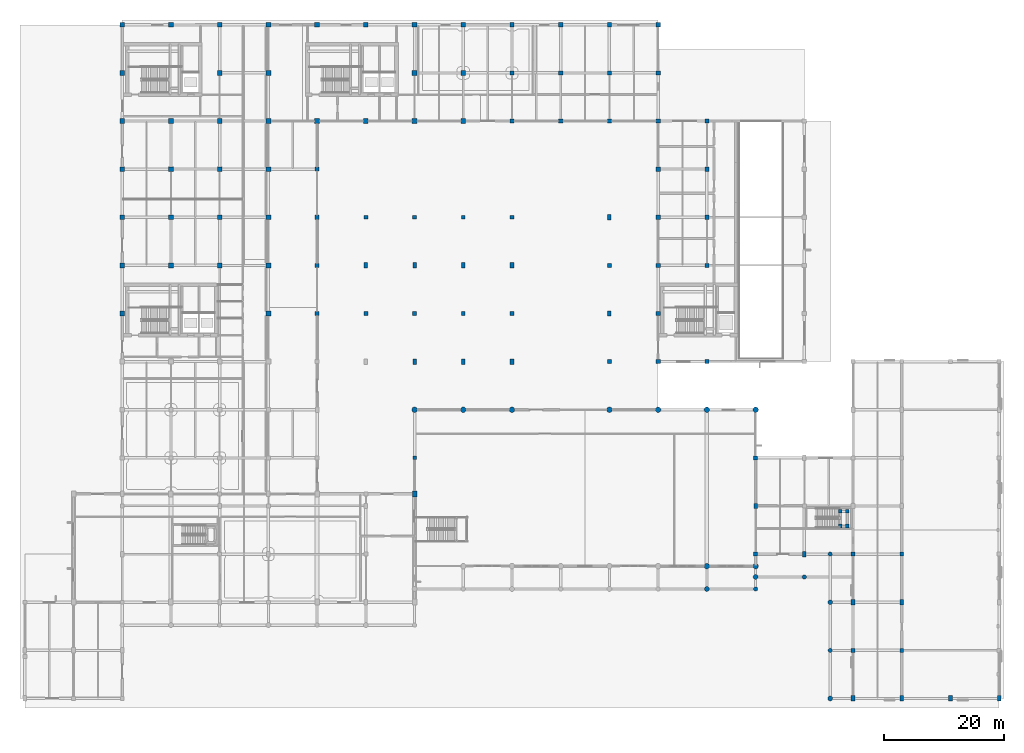
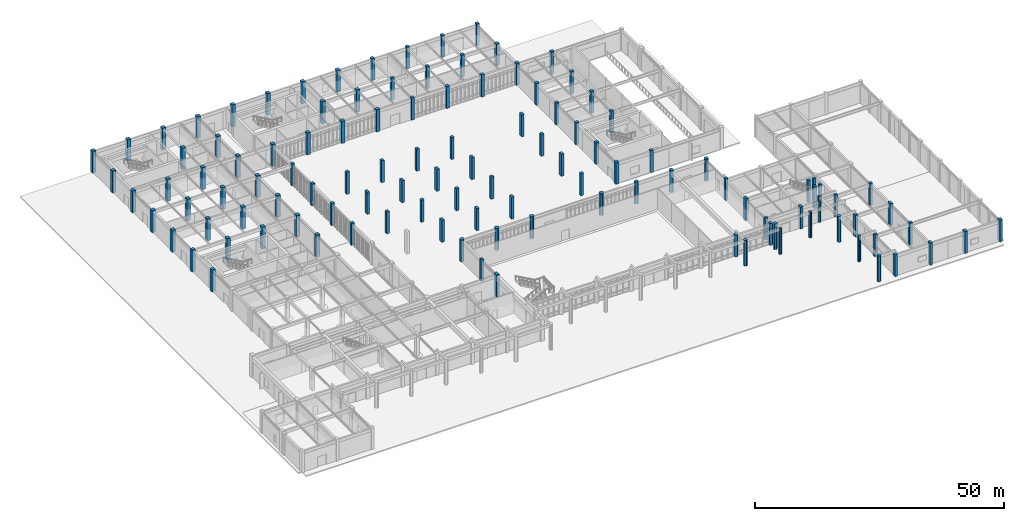
# One storey, part 3 of 62: 117 columns.
"""IFC4 building model written with IfcOpenShell, lengths in metres."""

from ifc_helpers import new_model, si_unit, direction, frame, origin, origin_2d, place, context, subcontext, project, spatial, rectangle, circle, extrude, material, material_profile, profile_set, type_object, element, save


model = new_model("IFC4")

# Units and contexts
model_context = context("Model", 3, precision=1e-05, world=origin(), true_north=direction((0.0, 1.0)))
body_context = subcontext(model_context, "Body", "Model", "MODEL_VIEW")
ifc_project = project(units=[si_unit("LENGTHUNIT", "METRE"), si_unit("AREAUNIT", "SQUARE_METRE"), si_unit("VOLUMEUNIT", "CUBIC_METRE"), si_unit("PLANEANGLEUNIT", "RADIAN"), si_unit("MASSUNIT", "GRAM", prefix="KILO")], contexts=[model_context])

# Site, building, storey
site_placement = place(None, origin())
site = spatial("IfcSite", under=ifc_project, at=site_placement, CompositionType="ELEMENT")
building_placement = place(site_placement, origin())
building = spatial("IfcBuilding", under=site, at=building_placement, Name="Tarnveldt Square Police Headquarters", CompositionType="ELEMENT")
storey_placement = place(building_placement, origin())
storey = spatial("IfcBuildingStorey", under=building, at=storey_placement, Name="L00", CompositionType="ELEMENT", Elevation=0.0)

# Columns
ifc_material_1 = material(Name="Concrete 40 MPa", Category="concrete")
ifc_material_profile_1 = material_profile(ifc_material_1, circle(Radius=0.35009765625, at=origin_2d()), Name="RC-D700")
ifc_profile_set_1 = profile_set([ifc_material_profile_1], Name="Concrete 40 MPa")
column_type_1 = type_object("IfcColumnType", Name="COL-D700", PredefinedType="COLUMN", material=ifc_profile_set_1)
for number, where, z_axis, x_axis, name in (
    (1, (121.5, 18.199951171875, 0.0), (0.0, 0.0, 1.0), (1.0, 0.0, 0.0), "Tarnveldt Square Round Colonnade Column 15"),
    (2, (129.60009765625, 20.199951171875, 0.0), (0.0, 0.0, 1.0), (1.0, 0.0, 0.0), "Tarnveldt Square Round Colonnade Column 17"),
    (3, (133.89990234375, 8.0, 0.0), (0.0, 0.0, 1.0), (1.0, 0.0, 0.0), "Tarnveldt Square Round Colonnade Column 19"),
    (4, (133.89990234375, 24.0, 0.0), (0.0, 0.0, 1.0), (1.0, 0.0, 0.0), "Tarnveldt Square Round Colonnade Column 21"),
):
    element("IfcColumn", number, at=place(storey_placement, frame(where, z_axis=z_axis, x_axis=x_axis)), inside=storey, type_object=column_type_1, Name=name, PredefinedType="COLUMN", context=body_context, shape_type="SweptSolid", body=[
        extrude(circle(Radius=0.35009765625, at=origin_2d()), origin(), (0.0, 0.0, 1.0), 6.300048828125),
    ])
ifc_material_profile_2 = material_profile(ifc_material_1, circle(Radius=0.39990234375, at=origin_2d()), Name="RC-D800")
ifc_profile_set_2 = profile_set([ifc_material_profile_2], Name="Concrete 40 MPa")
column_type_2 = type_object("IfcColumnType", Name="COL-D800", PredefinedType="COLUMN", material=ifc_profile_set_2)
for number, where, z_axis, x_axis, name in (
    (5, (113.39990234375, 18.199951171875, 0.0), (0.0, 0.0, 1.0), (1.0, 0.0, 0.0), "Tarnveldt Square Round Colonnade Column 14"),
    (6, (121.5, 20.199951171875, 0.0), (0.0, 0.0, 1.0), (1.0, 0.0, 0.0), "Tarnveldt Square Round Colonnade Column 16"),
    (7, (133.89990234375, 0.0, 0.0), (0.0, 0.0, 1.0), (1.0, 0.0, 0.0), "Tarnveldt Square Round Colonnade Column 18"),
    (8, (133.89990234375, 16.0, 0.0), (0.0, 0.0, 1.0), (1.0, 0.0, 0.0), "Tarnveldt Square Round Colonnade Column 20"),
):
    element("IfcColumn", number, at=place(storey_placement, frame(where, z_axis=z_axis, x_axis=x_axis)), inside=storey, type_object=column_type_2, Name=name, PredefinedType="COLUMN", context=body_context, shape_type="SweptSolid", body=[
        extrude(circle(Radius=0.39990234375, at=origin_2d()), origin(), (0.0, 0.0, 1.0), 6.300048828125),
    ])
ifc_material_2 = material(Name="Concrete 50 MPa", Category="concrete")
ifc_material_profile_3 = material_profile(ifc_material_2, circle(Radius=0.449951171875, at=origin_2d()), Name="RC-D900")
ifc_profile_set_3 = profile_set([ifc_material_profile_3], Name="Concrete 50 MPa")
column_type_3 = type_object("IfcColumnType", Name="COL-D900", PredefinedType="COLUMN", material=ifc_profile_set_3)
for number, where, z_axis, x_axis, name in (
    (9, (64.800048828125, 48.0, 0.0), (0.0, 0.0, 1.0), (1.0, 0.0, 0.0), "L00 Column 098"),
    (10, (72.89990234375, 48.0, 0.0), (0.0, 0.0, 1.0), (1.0, 0.0, 0.0), "L00 Column 108"),
    (11, (81.0, 48.0, 0.0), (0.0, 0.0, 1.0), (1.0, 0.0, 0.0), "L00 Column 118"),
    (12, (97.199951171875, 48.0, 0.0), (0.0, 0.0, 1.0), (1.0, 0.0, 0.0), "L00 Column 133"),
    (13, (105.300048828125, 48.0, 0.0), (0.0, 0.0, 1.0), (1.0, 0.0, 0.0), "L00 Column 144"),
    (14, (113.39990234375, 22.0, 0.0), (0.0, 0.0, 1.0), (1.0, 0.0, 0.0), "L00 Column 154"),
    (15, (113.39990234375, 48.0, 0.0), (0.0, 0.0, 1.0), (1.0, 0.0, 0.0), "L00 Column 155"),
    (16, (121.5, 22.0, 0.0), (0.0, 0.0, 1.0), (1.0, 0.0, 0.0), "L00 Column 161"),
    (17, (121.5, 48.0, 0.0), (0.0, 0.0, 1.0), (1.0, 0.0, 0.0), "L00 Column 165"),
):
    element("IfcColumn", number, at=place(storey_placement, frame(where, z_axis=z_axis, x_axis=x_axis)), inside=storey, type_object=column_type_3, Name=name, PredefinedType="COLUMN", context=body_context, shape_type="SweptSolid", body=[
        extrude(circle(Radius=0.449951171875, at=origin_2d()), origin(), (0.0, 0.0, 1.0), 5.39990234375),
    ])
ifc_material_profile_4 = material_profile(ifc_material_1, rectangle(XDim=0.60009765625, YDim=0.60009765625, at=origin_2d()), Name="RC-C600x600")
ifc_profile_set_4 = profile_set([ifc_material_profile_4], Name="Concrete 40 MPa")
column_type_4 = type_object("IfcColumnType", Name="COL-RC600", PredefinedType="COLUMN", material=ifc_profile_set_4)
for number, where, z_axis, x_axis, name in (
    (18, (64.800048828125, 40.0, 0.0), (0.0, 0.0, 1.0), (1.0, 0.0, 0.0), "L00 Column 097"),
    (19, (135.550048828125, 28.679931640625, 0.0), (0.0, 0.0, 1.0), (1.0, 0.0, 0.0), "L00 Column 181"),
    (20, (135.550048828125, 31.10009765625, 0.0), (0.0, 0.0, 1.0), (1.0, 0.0, 0.0), "L00 Column 182"),
    (21, (136.75, 28.679931640625, 0.0), (0.0, 0.0, 1.0), (1.0, 0.0, 0.0), "L00 Column 183"),
    (22, (136.75, 31.10009765625, 0.0), (0.0, 0.0, 1.0), (1.0, 0.0, 0.0), "L00 Column 184"),
):
    element("IfcColumn", number, at=place(storey_placement, frame(where, z_axis=z_axis, x_axis=x_axis)), inside=storey, type_object=column_type_4, Name=name, PredefinedType="COLUMN", context=body_context, shape_type="SweptSolid", body=[
        extrude(rectangle(XDim=0.60009765625, YDim=0.60009765625, at=origin_2d()), origin(), (0.0, 0.0, 1.0), 5.39990234375),
    ])
ifc_material_profile_5 = material_profile(ifc_material_2, rectangle(XDim=0.60009765625, YDim=0.89990234375, at=origin_2d()), Name="RC-C600x900")
ifc_profile_set_5 = profile_set([ifc_material_profile_5], Name="Concrete 50 MPa")
column_type_5 = type_object("IfcColumnType", Name="COL-RC600x900", PredefinedType="COLUMN", material=ifc_profile_set_5)
for number, where, z_axis, x_axis, name in (
    (23, (56.699951171875, 72.0, 0.0), (0.0, 0.0, 1.0), (1.0, 0.0, 0.0), "L00 Column 089"),
    (24, (64.800048828125, 56.0, 0.0), (0.0, 0.0, 1.0), (1.0, 0.0, 0.0), "L00 Column 099"),
    (25, (64.800048828125, 72.0, 0.0), (0.0, 0.0, 1.0), (1.0, 0.0, 0.0), "L00 Column 101"),
    (26, (72.89990234375, 56.0, 0.0), (0.0, 0.0, 1.0), (1.0, 0.0, 0.0), "L00 Column 109"),
    (27, (72.89990234375, 72.0, 0.0), (0.0, 0.0, 1.0), (1.0, 0.0, 0.0), "L00 Column 111"),
    (28, (81.0, 56.0, 0.0), (0.0, 0.0, 1.0), (1.0, 0.0, 0.0), "L00 Column 119"),
    (29, (81.0, 72.0, 0.0), (0.0, 0.0, 1.0), (1.0, 0.0, 0.0), "L00 Column 121"),
    (30, (97.199951171875, 64.0, 0.0), (0.0, 0.0, 1.0), (1.0, 0.0, 0.0), "L00 Column 135"),
    (31, (97.199951171875, 80.0, 0.0), (0.0, 0.0, 1.0), (1.0, 0.0, 0.0), "L00 Column 137"),
    (32, (121.5, 32.0, 0.0), (0.0, 0.0, 1.0), (1.0, 0.0, 0.0), "L00 Column 163"),
    (33, (129.60009765625, 24.0, 0.0), (0.0, 0.0, 1.0), (1.0, 0.0, 0.0), "L00 Column 169"),
    (34, (137.699951171875, 0.0, 0.0), (0.0, 0.0, 1.0), (1.0, 0.0, 0.0), "L00 Column 185"),
    (35, (137.699951171875, 16.0, 0.0), (0.0, 0.0, 1.0), (1.0, 0.0, 0.0), "L00 Column 187"),
    (36, (145.800048828125, 0.0, 0.0), (0.0, 0.0, 1.0), (1.0, 0.0, 0.0), "L00 Column 193"),
    (37, (145.800048828125, 16.0, 0.0), (0.0, 0.0, 1.0), (1.0, 0.0, 0.0), "L00 Column 195"),
    (38, (153.89990234375, 0.0, 0.0), (0.0, 0.0, 1.0), (1.0, 0.0, 0.0), "L00 Column 201"),
    (39, (162.0, 0.0, 0.0), (0.0, 0.0, 1.0), (1.0, 0.0, 0.0), "L00 Column 203"),
):
    element("IfcColumn", number, at=place(storey_placement, frame(where, z_axis=z_axis, x_axis=x_axis)), inside=storey, type_object=column_type_5, Name=name, PredefinedType="COLUMN", context=body_context, shape_type="SweptSolid", body=[
        extrude(rectangle(XDim=0.60009765625, YDim=0.89990234375, at=origin_2d()), origin(), (0.0, 0.0, 1.0), 5.39990234375),
    ])
ifc_material_profile_6 = material_profile(ifc_material_2, rectangle(XDim=0.64990234375, YDim=0.64990234375, at=origin_2d()), Name="RC-C650x650")
ifc_profile_set_6 = profile_set([ifc_material_profile_6], Name="Concrete 50 MPa")
column_type_6 = type_object("IfcColumnType", Name="COL-RC650", PredefinedType="COLUMN", material=ifc_profile_set_6)
for number, where, z_axis, x_axis, name in (
    (40, (48.60009765625, 88.0, 0.0), (0.0, 0.0, 1.0), (1.0, 0.0, 0.0), "L00 Column 078"),
    (41, (56.699951171875, 64.0, 0.0), (0.0, 0.0, 1.0), (1.0, 0.0, 0.0), "L00 Column 088"),
    (42, (56.699951171875, 80.0, 0.0), (0.0, 0.0, 1.0), (1.0, 0.0, 0.0), "L00 Column 090"),
    (43, (64.800048828125, 64.0, 0.0), (0.0, 0.0, 1.0), (1.0, 0.0, 0.0), "L00 Column 100"),
    (44, (64.800048828125, 80.0, 0.0), (0.0, 0.0, 1.0), (1.0, 0.0, 0.0), "L00 Column 102"),
    (45, (72.89990234375, 64.0, 0.0), (0.0, 0.0, 1.0), (1.0, 0.0, 0.0), "L00 Column 110"),
    (46, (72.89990234375, 80.0, 0.0), (0.0, 0.0, 1.0), (1.0, 0.0, 0.0), "L00 Column 112"),
    (47, (81.0, 64.0, 0.0), (0.0, 0.0, 1.0), (1.0, 0.0, 0.0), "L00 Column 120"),
    (48, (81.0, 80.0, 0.0), (0.0, 0.0, 1.0), (1.0, 0.0, 0.0), "L00 Column 122"),
    (49, (97.199951171875, 56.0, 0.0), (0.0, 0.0, 1.0), (1.0, 0.0, 0.0), "L00 Column 134"),
    (50, (97.199951171875, 72.0, 0.0), (0.0, 0.0, 1.0), (1.0, 0.0, 0.0), "L00 Column 136"),
    (51, (121.5, 24.0, 0.0), (0.0, 0.0, 1.0), (1.0, 0.0, 0.0), "L00 Column 162"),
    (52, (121.5, 40.0, 0.0), (0.0, 0.0, 1.0), (1.0, 0.0, 0.0), "L00 Column 164"),
    (53, (137.699951171875, 8.0, 0.0), (0.0, 0.0, 1.0), (1.0, 0.0, 0.0), "L00 Column 186"),
    (54, (137.699951171875, 24.0, 0.0), (0.0, 0.0, 1.0), (1.0, 0.0, 0.0), "L00 Column 188"),
    (55, (145.800048828125, 8.0, 0.0), (0.0, 0.0, 1.0), (1.0, 0.0, 0.0), "L00 Column 194"),
    (56, (145.800048828125, 24.0, 0.0), (0.0, 0.0, 1.0), (1.0, 0.0, 0.0), "L00 Column 196"),
):
    element("IfcColumn", number, at=place(storey_placement, frame(where, z_axis=z_axis, x_axis=x_axis)), inside=storey, type_object=column_type_6, Name=name, PredefinedType="COLUMN", context=body_context, shape_type="SweptSolid", body=[
        extrude(rectangle(XDim=0.64990234375, YDim=0.64990234375, at=origin_2d()), origin(), (0.0, 0.0, 1.0), 5.39990234375),
    ])
ifc_material_profile_7 = material_profile(ifc_material_2, rectangle(XDim=0.699951171875, YDim=0.699951171875, at=origin_2d()), Name="RC-C700x700")
ifc_profile_set_7 = profile_set([ifc_material_profile_7], Name="Concrete 50 MPa")
column_type_7 = type_object("IfcColumnType", Name="COL-RC700", PredefinedType="COLUMN", material=ifc_profile_set_7)
for number, where, z_axis, x_axis, name in (
    (57, (48.60009765625, 64.0, 0.0), (0.0, 0.0, 1.0), (1.0, 0.0, 0.0), "L00 Column 075"),
    (58, (48.60009765625, 72.0, 0.0), (0.0, 0.0, 1.0), (1.0, 0.0, 0.0), "L00 Column 076"),
    (59, (48.60009765625, 80.0, 0.0), (0.0, 0.0, 1.0), (1.0, 0.0, 0.0), "L00 Column 077"),
    (60, (81.0, 96.0, 0.0), (0.0, 0.0, 1.0), (1.0, 0.0, 0.0), "L00 Column 124"),
    (61, (81.0, 104.0, 0.0), (0.0, 0.0, 1.0), (1.0, 0.0, 0.0), "L00 Column 125"),
    (62, (81.0, 112.0, 0.0), (0.0, 0.0, 1.0), (1.0, 0.0, 0.0), "L00 Column 126"),
    (63, (89.10009765625, 96.0, 0.0), (0.0, 0.0, 1.0), (1.0, 0.0, 0.0), "L00 Column 129"),
    (64, (89.10009765625, 104.0, 0.0), (0.0, 0.0, 1.0), (1.0, 0.0, 0.0), "L00 Column 130"),
    (65, (89.10009765625, 112.0, 0.0), (0.0, 0.0, 1.0), (1.0, 0.0, 0.0), "L00 Column 131"),
    (66, (97.199951171875, 96.0, 0.0), (0.0, 0.0, 1.0), (1.0, 0.0, 0.0), "L00 Column 139"),
    (67, (97.199951171875, 104.0, 0.0), (0.0, 0.0, 1.0), (1.0, 0.0, 0.0), "L00 Column 140"),
    (68, (97.199951171875, 112.0, 0.0), (0.0, 0.0, 1.0), (1.0, 0.0, 0.0), "L00 Column 141"),
    (69, (105.300048828125, 56.0, 0.0), (0.0, 0.0, 1.0), (1.0, 0.0, 0.0), "L00 Column 145"),
    (70, (105.300048828125, 64.0, 0.0), (0.0, 0.0, 1.0), (1.0, 0.0, 0.0), "L00 Column 146"),
    (71, (105.300048828125, 72.0, 0.0), (0.0, 0.0, 1.0), (1.0, 0.0, 0.0), "L00 Column 147"),
    (72, (105.300048828125, 80.0, 0.0), (0.0, 0.0, 1.0), (1.0, 0.0, 0.0), "L00 Column 148"),
    (73, (105.300048828125, 88.0, 0.0), (0.0, 0.0, 1.0), (1.0, 0.0, 0.0), "L00 Column 149"),
    (74, (105.300048828125, 96.0, 0.0), (0.0, 0.0, 1.0), (1.0, 0.0, 0.0), "L00 Column 150"),
    (75, (105.300048828125, 104.0, 0.0), (0.0, 0.0, 1.0), (1.0, 0.0, 0.0), "L00 Column 151"),
    (76, (105.300048828125, 112.0, 0.0), (0.0, 0.0, 1.0), (1.0, 0.0, 0.0), "L00 Column 152"),
    (77, (113.39990234375, 56.0, 0.0), (0.0, 0.0, 1.0), (1.0, 0.0, 0.0), "L00 Column 156"),
    (78, (113.39990234375, 72.0, 0.0), (0.0, 0.0, 1.0), (1.0, 0.0, 0.0), "L00 Column 157"),
    (79, (113.39990234375, 80.0, 0.0), (0.0, 0.0, 1.0), (1.0, 0.0, 0.0), "L00 Column 158"),
    (80, (113.39990234375, 88.0, 0.0), (0.0, 0.0, 1.0), (1.0, 0.0, 0.0), "L00 Column 159"),
    (81, (113.39990234375, 96.0, 0.0), (0.0, 0.0, 1.0), (1.0, 0.0, 0.0), "L00 Column 160"),
):
    element("IfcColumn", number, at=place(storey_placement, frame(where, z_axis=z_axis, x_axis=x_axis)), inside=storey, type_object=column_type_7, Name=name, PredefinedType="COLUMN", context=body_context, shape_type="SweptSolid", body=[
        extrude(rectangle(XDim=0.699951171875, YDim=0.699951171875, at=origin_2d()), origin(), (0.0, 0.0, 1.0), 5.39990234375),
    ])
ifc_material_profile_8 = material_profile(ifc_material_2, rectangle(XDim=0.75, YDim=1.0, at=origin_2d()), Name="RC-C750x1000")
ifc_profile_set_8 = profile_set([ifc_material_profile_8], Name="Concrete 50 MPa")
column_type_8 = type_object("IfcColumnType", Name="COL-RC750x1000", PredefinedType="COLUMN", material=ifc_profile_set_8)
column_placement = place(storey_placement, frame((64.800048828125, 34.0, 0.0), z_axis=(0.0, 0.0, 1.0), x_axis=(1.0, 0.0, 0.0)))
element("IfcColumn", 82, at=column_placement, inside=storey, type_object=column_type_8, Name="L00 Column 096", PredefinedType="COLUMN", context=body_context, shape_type="SweptSolid", body=[
    extrude(rectangle(XDim=0.75, YDim=1.0, at=origin_2d()), origin(), (0.0, 0.0, 1.0), 5.39990234375),
])
ifc_material_profile_9 = material_profile(ifc_material_2, rectangle(XDim=0.800048828125, YDim=0.800048828125, at=origin_2d()), Name="RC-C800x800")
ifc_profile_set_9 = profile_set([ifc_material_profile_9], Name="Concrete 50 MPa")
column_type_9 = type_object("IfcColumnType", Name="COL-RC800", PredefinedType="COLUMN", material=ifc_profile_set_9)
for number, where, z_axis, x_axis, name in (
    (83, (16.199951171875, 64.0, 0.0), (0.0, 0.0, 1.0), (1.0, 0.0, 0.0), "L00 Column 021"),
    (84, (16.199951171875, 72.0, 0.0), (0.0, 0.0, 1.0), (1.0, 0.0, 0.0), "L00 Column 022"),
    (85, (16.199951171875, 80.0, 0.0), (0.0, 0.0, 1.0), (1.0, 0.0, 0.0), "L00 Column 023"),
    (86, (16.199951171875, 88.0, 0.0), (0.0, 0.0, 1.0), (1.0, 0.0, 0.0), "L00 Column 024"),
    (87, (16.199951171875, 96.0, 0.0), (0.0, 0.0, 1.0), (1.0, 0.0, 0.0), "L00 Column 025"),
    (88, (16.199951171875, 104.0, 0.0), (0.0, 0.0, 1.0), (1.0, 0.0, 0.0), "L00 Column 026"),
    (89, (16.199951171875, 112.0, 0.0), (0.0, 0.0, 1.0), (1.0, 0.0, 0.0), "L00 Column 027"),
    (90, (24.300048828125, 72.0, 0.0), (0.0, 0.0, 1.0), (1.0, 0.0, 0.0), "L00 Column 034"),
    (91, (24.300048828125, 80.0, 0.0), (0.0, 0.0, 1.0), (1.0, 0.0, 0.0), "L00 Column 035"),
    (92, (24.300048828125, 88.0, 0.0), (0.0, 0.0, 1.0), (1.0, 0.0, 0.0), "L00 Column 036"),
    (93, (24.300048828125, 96.0, 0.0), (0.0, 0.0, 1.0), (1.0, 0.0, 0.0), "L00 Column 037"),
    (94, (24.300048828125, 112.0, 0.0), (0.0, 0.0, 1.0), (1.0, 0.0, 0.0), "L00 Column 038"),
    (95, (32.39990234375, 72.0, 0.0), (0.0, 0.0, 1.0), (1.0, 0.0, 0.0), "L00 Column 050"),
    (96, (32.39990234375, 80.0, 0.0), (0.0, 0.0, 1.0), (1.0, 0.0, 0.0), "L00 Column 051"),
    (97, (32.39990234375, 88.0, 0.0), (0.0, 0.0, 1.0), (1.0, 0.0, 0.0), "L00 Column 052"),
    (98, (32.39990234375, 96.0, 0.0), (0.0, 0.0, 1.0), (1.0, 0.0, 0.0), "L00 Column 053"),
    (99, (32.39990234375, 104.0, 0.0), (0.0, 0.0, 1.0), (1.0, 0.0, 0.0), "L00 Column 054"),
    (100, (32.39990234375, 112.0, 0.0), (0.0, 0.0, 1.0), (1.0, 0.0, 0.0), "L00 Column 055"),
    (101, (40.5, 64.0, 0.0), (0.0, 0.0, 1.0), (1.0, 0.0, 0.0), "L00 Column 063"),
    (102, (40.5, 72.0, 0.0), (0.0, 0.0, 1.0), (1.0, 0.0, 0.0), "L00 Column 064"),
    (103, (40.5, 80.0, 0.0), (0.0, 0.0, 1.0), (1.0, 0.0, 0.0), "L00 Column 065"),
    (104, (40.5, 88.0, 0.0), (0.0, 0.0, 1.0), (1.0, 0.0, 0.0), "L00 Column 066"),
    (105, (40.5, 96.0, 0.0), (0.0, 0.0, 1.0), (1.0, 0.0, 0.0), "L00 Column 067"),
    (106, (40.5, 104.0, 0.0), (0.0, 0.0, 1.0), (1.0, 0.0, 0.0), "L00 Column 068"),
    (107, (40.5, 112.0, 0.0), (0.0, 0.0, 1.0), (1.0, 0.0, 0.0), "L00 Column 069"),
    (108, (48.60009765625, 96.0, 0.0), (0.0, 0.0, 1.0), (1.0, 0.0, 0.0), "L00 Column 079"),
    (109, (48.60009765625, 112.0, 0.0), (0.0, 0.0, 1.0), (1.0, 0.0, 0.0), "L00 Column 080"),
    (110, (56.699951171875, 96.0, 0.0), (0.0, 0.0, 1.0), (1.0, 0.0, 0.0), "L00 Column 092"),
    (111, (56.699951171875, 112.0, 0.0), (0.0, 0.0, 1.0), (1.0, 0.0, 0.0), "L00 Column 093"),
    (112, (64.800048828125, 96.0, 0.0), (0.0, 0.0, 1.0), (1.0, 0.0, 0.0), "L00 Column 104"),
    (113, (64.800048828125, 104.0, 0.0), (0.0, 0.0, 1.0), (1.0, 0.0, 0.0), "L00 Column 105"),
    (114, (64.800048828125, 112.0, 0.0), (0.0, 0.0, 1.0), (1.0, 0.0, 0.0), "L00 Column 106"),
    (115, (72.89990234375, 96.0, 0.0), (0.0, 0.0, 1.0), (1.0, 0.0, 0.0), "L00 Column 114"),
    (116, (72.89990234375, 104.0, 0.0), (0.0, 0.0, 1.0), (1.0, 0.0, 0.0), "L00 Column 115"),
    (117, (72.89990234375, 112.0, 0.0), (0.0, 0.0, 1.0), (1.0, 0.0, 0.0), "L00 Column 116"),
):
    element("IfcColumn", number, at=place(storey_placement, frame(where, z_axis=z_axis, x_axis=x_axis)), inside=storey, type_object=column_type_9, Name=name, PredefinedType="COLUMN", context=body_context, shape_type="SweptSolid", body=[
        extrude(rectangle(XDim=0.800048828125, YDim=0.800048828125, at=origin_2d()), origin(), (0.0, 0.0, 1.0), 5.39990234375),
    ])

save(model, "model.ifc")
